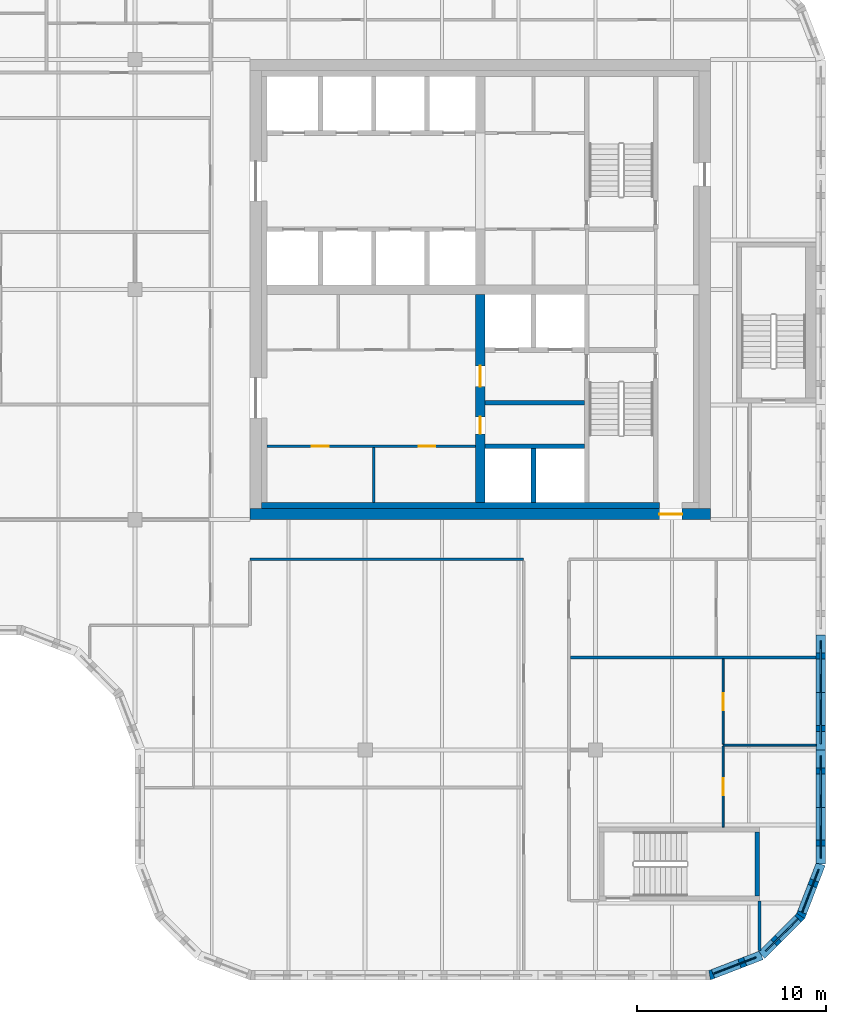
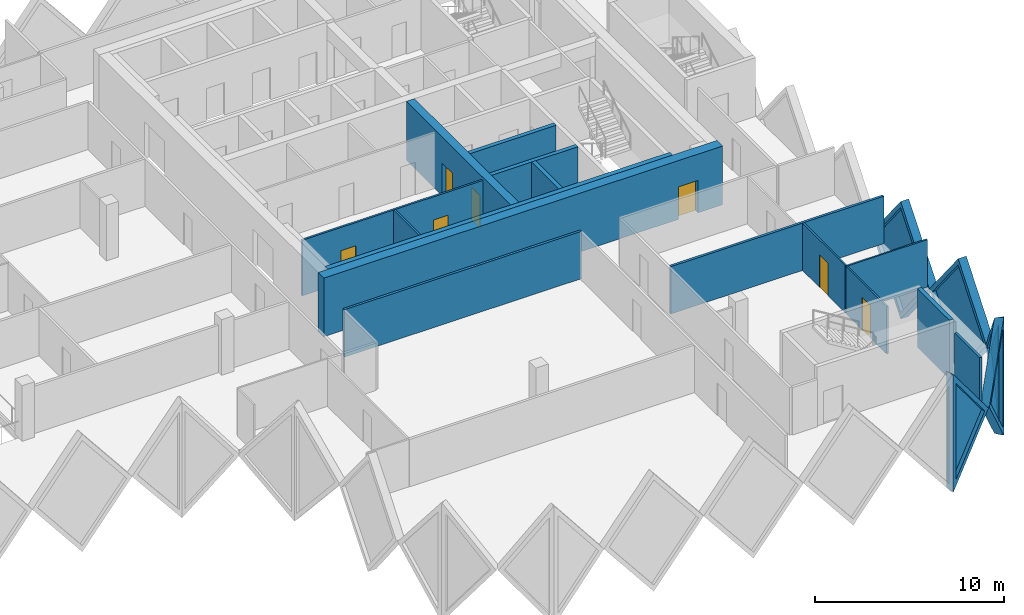
# One storey, part 5 of 11: 20 walls, 7 doors, 5 plates, 12 openings.
"""IFC4 building model written with IfcOpenShell, lengths in metres."""

from ifc_helpers import new_model, si_unit, direction, frame, frame_2d, origin, place, context, subcontext, project, spatial, polyline, rectangle, outline, extrude, faceted_brep, source, transform, mapped, material, layer, layer_set, type_object, element, fill, save


model = new_model("IFC4")

# Units and contexts
model_context = context("Model", 3, precision=1e-05, world=origin(), true_north=direction((0.0, 1.0)))
body_context = subcontext(model_context, "Body", "Model", "MODEL_VIEW")
ifc_project = project(units=[si_unit("LENGTHUNIT", "METRE"), si_unit("AREAUNIT", "SQUARE_METRE"), si_unit("VOLUMEUNIT", "CUBIC_METRE"), si_unit("PLANEANGLEUNIT", "RADIAN"), si_unit("MASSUNIT", "GRAM", prefix="KILO")], contexts=[model_context])

# Site, building, storey
site_placement = place(None, origin())
site = spatial("IfcSite", under=ifc_project, at=site_placement, CompositionType="ELEMENT")
building_placement = place(site_placement, origin())
building = spatial("IfcBuilding", under=site, at=building_placement, Name="Tessera Gate Towers", CompositionType="ELEMENT")
storey_placement = place(building_placement, frame((0.0, 0.0, 170.60009765625)))
storey = spatial("IfcBuildingStorey", under=building, at=storey_placement, Name="L42", CompositionType="ELEMENT", Elevation=170.60009765625)

# Walls
ifc_material_1 = material(Name="Concrete C40/50", Category="concrete")
ifc_layer_1 = layer(ifc_material_1, 0.25)
ifc_layer_set_1 = layer_set([ifc_layer_1], Name="CORE ENCLOSURE WALL 250")
wall_type_1 = type_object("IfcWallType", Name="CORE ENCLOSURE WALL 250", PredefinedType="SOLIDWALL", material=ifc_layer_set_1)
for number, where, z_axis, x_axis, name in (
    (1, (42.949951171875, 28.300048828125, 0.0), (0.0, 0.0, 1.0), (1.0, 0.0, 0.0), "L42 shaft and stair enclosure wall"),
    (2, (42.949951171875, 30.60009765625, 0.0), (0.0, 0.0, 1.0), (1.0, 0.0, 0.0), "L42 shaft and stair enclosure wall"),
):
    element("IfcWall", number, at=place(storey_placement, frame(where, z_axis=z_axis, x_axis=x_axis)), inside=storey, type_object=wall_type_1, Name=name, PredefinedType="SOLIDWALL", context=body_context, shape_type="SweptSolid", body=[
        extrude(rectangle(XDim=5.275146484375, YDim=0.25, at=frame_2d((2.6376953125, 0.0))), origin(), (0.0, 0.0, 1.0), 3.7998046875),
    ])
wall_1_placement = place(storey_placement, frame((45.52490234375, 25.300048828125, 0.0), z_axis=(0.0, 0.0, 1.0), x_axis=(0.0, 1.0, 0.0)))
element("IfcWall", 3, at=wall_1_placement, inside=storey, type_object=wall_type_1, Name="L42 shaft and stair enclosure wall", PredefinedType="SOLIDWALL", context=body_context, shape_type="SweptSolid", body=[
    extrude(rectangle(XDim=2.875, YDim=0.25, at=frame_2d((1.4375, 0.0))), origin(), (0.0, 0.0, 1.0), 3.7998046875),
])
wall_2_placement = place(storey_placement, frame((57.375, 7.85009765625, 0.0), z_axis=(0.0, 0.0, 1.0), x_axis=(0.0, -1.0, 0.0)))
element("IfcWall", 4, at=wall_2_placement, inside=storey, type_object=wall_type_1, Name="L42 ST4 enclosure wall", PredefinedType="SOLIDWALL", context=body_context, shape_type="SweptSolid", body=[
    extrude(rectangle(XDim=3.400146484375, YDim=0.25, at=frame_2d((1.7001953125, 0.0))), origin(), (0.0, 0.0, 1.0), 3.7998046875),
])

# Wall, openings, doors
ifc_material_2 = material(Name="Gypsum board on steel studs", Category="steel")
ifc_layer_2 = layer(ifc_material_2, 0.1201171875)
ifc_layer_set_2 = layer_set([ifc_layer_2], Name="CORE PARTITION 120")
wall_type_2 = type_object("IfcWallType", Name="CORE PARTITION 120", PredefinedType="PARTITIONING", material=ifc_layer_set_2)
wall_3_placement = place(storey_placement, frame((42.449951171875, 28.300048828125, 0.0), z_axis=(0.0, 0.0, 1.0), x_axis=(-1.0, 0.0, 0.0)))
wall_3 = element("IfcWall", 5, at=wall_3_placement, inside=storey, type_object=wall_type_2, Name="L42 core partition", PredefinedType="PARTITIONING", context=body_context, shape_type="SweptSolid", body=[
    extrude(rectangle(XDim=11.050048828125, YDim=0.1201171875, at=frame_2d((5.52490234375, 0.0))), origin(), (0.0, 0.0, 1.0), 3.599853515625),
])
shared_shape_1 = source(origin(), body_context, "Body", "SweptSolid", [
    extrude(rectangle(XDim=0.89990234375, YDim=2.10009765625, at=frame_2d((0.449951171875, 1.050048828125))), frame((0.0, 0.070068359375, 0.0), z_axis=(0.0, -1.0, 0.0), x_axis=(1.0, 0.0, 0.0)), (0.0, 0.0, 1.0), 0.14013671875),
])
opening_1_placement = place(wall_3_placement, frame((7.77490234375, 0.0, 0.0)))
opening_1 = element("IfcOpeningElement", 6, at=opening_1_placement, cuts=wall_3, Name="Opening RD-T1-27-07", PredefinedType="OPENING", context=body_context, shape_type="MappedRepresentation", body=[
    mapped(shared_shape_1, transform((0.0, 0.0, 0.0), scale=1.0)),
])
opening_2_placement = place(wall_3_placement, frame((2.125, 0.0, 0.0)))
opening_2 = element("IfcOpeningElement", 7, at=opening_2_placement, cuts=wall_3, Name="Opening RD-T1-27-08", PredefinedType="OPENING", context=body_context, shape_type="MappedRepresentation", body=[
    mapped(shared_shape_1, transform((0.0, 0.0, 0.0), scale=1.0)),
])
ifc_material_3 = material(Name="Hollow steel fire door", Category="steel")
door_type_1 = type_object("IfcDoorType", Name="CORE DOOR RD 900x2100", OperationType="NOTDEFINED", PredefinedType="DOOR", material=ifc_material_3)
shared_shape_2 = source(origin(), body_context, "Body", "SweptSolid", [
    extrude(rectangle(XDim=0.89990234375, YDim=2.10009765625, at=frame_2d((0.449951171875, 1.050048828125))), frame((0.0, 0.02490234375, 0.0), z_axis=(0.0, -1.0, 0.0), x_axis=(1.0, 0.0, 0.0)), (0.0, 0.0, 1.0), 0.050048828125),
])
door_1_placement = place(opening_1_placement, origin())
door_1 = element("IfcDoor", 8, at=door_1_placement, inside=storey, type_object=door_type_1, Name="Core room door", OperationType="SINGLE_SWING_RIGHT", OverallHeight=2.10009765625, OverallWidth=0.89990234375, PredefinedType="DOOR", context=body_context, shape_type="MappedRepresentation", body=[
    mapped(shared_shape_2, transform((0.0, 0.0, 0.0), scale=1.0)),
])
fill(opening_1, door_1)
door_2_placement = place(opening_2_placement, origin())
door_2 = element("IfcDoor", 9, at=door_2_placement, inside=storey, type_object=door_type_1, Name="Core room door", OperationType="SINGLE_SWING_LEFT", OverallHeight=2.10009765625, OverallWidth=0.89990234375, PredefinedType="DOOR", context=body_context, shape_type="MappedRepresentation", body=[
    mapped(shared_shape_2, transform((0.0, 0.0, 0.0), scale=1.0)),
])
fill(opening_2, door_2)

# Wall
wall_4_placement = place(storey_placement, frame((37.050048828125, 25.300048828125, 0.0), z_axis=(0.0, 0.0, 1.0), x_axis=(0.0, 1.0, 0.0)))
element("IfcWall", 10, at=wall_4_placement, inside=storey, type_object=wall_type_2, Name="L42 core partition", PredefinedType="PARTITIONING", context=body_context, shape_type="SweptSolid", body=[
    extrude(rectangle(XDim=2.93994140625, YDim=0.1201171875, at=frame_2d((1.469970703125, 0.0))), origin(), (0.0, 0.0, 1.0), 3.599853515625),
])

# Wall, opening, door
ifc_material_4 = material(Name="Concrete C50/60", Category="concrete")
ifc_layer_3 = layer(ifc_material_4, 0.60009765625)
ifc_layer_set_3 = layer_set([ifc_layer_3], Name="CORE SHEAR WALL 600 C50/60")
wall_type_3 = type_object("IfcWallType", Name="CORE SHEAR WALL 600 C50/60", PredefinedType="SHEAR", material=ifc_layer_set_3)
wall_5_placement = place(storey_placement, frame((54.89990234375, 24.699951171875, 0.0), z_axis=(0.0, 0.0, 1.0), x_axis=(-1.0, 0.0, 0.0)))
wall_5 = element("IfcWall", 11, at=wall_5_placement, inside=storey, type_object=wall_type_3, Name="Core wall S L42", PredefinedType="SHEAR", context=body_context, shape_type="SweptSolid", body=[
    extrude(rectangle(XDim=24.39990234375, YDim=0.60009765625, at=frame_2d((12.199951171875, 0.0))), origin(), (0.0, 0.0, 1.0), 3.7998046875),
])
shared_shape_3 = source(origin(), body_context, "Body", "SweptSolid", [
    extrude(rectangle(XDim=1.199951171875, YDim=2.10009765625, at=frame_2d((0.60009765625, 1.050048828125))), frame((0.0, 0.31005859375, 0.0), z_axis=(0.0, -1.0, 0.0), x_axis=(1.0, 0.0, 0.0)), (0.0, 0.0, 1.0), 0.6201171875),
])
opening_3_placement = place(wall_5_placement, frame((1.5, 0.0, 0.0)))
opening_3 = element("IfcOpeningElement", 12, at=opening_3_placement, cuts=wall_5, Name="Opening ED-T1-27-01", PredefinedType="OPENING", context=body_context, shape_type="MappedRepresentation", body=[
    mapped(shared_shape_3, transform((0.0, 0.0, 0.0), scale=1.0)),
])
ifc_material_5 = material(Name="Hollow steel fire door", Category="steel")
door_type_2 = type_object("IfcDoorType", Name="CORE DOOR ED 1200x2100", OperationType="NOTDEFINED", PredefinedType="DOOR", material=ifc_material_5)
shared_shape_4 = source(origin(), body_context, "Body", "SweptSolid", [
    extrude(rectangle(XDim=1.199951171875, YDim=2.10009765625, at=frame_2d((0.60009765625, 1.050048828125))), frame((0.0, 0.02490234375, 0.0), z_axis=(0.0, -1.0, 0.0), x_axis=(1.0, 0.0, 0.0)), (0.0, 0.0, 1.0), 0.050048828125),
])
door_3_placement = place(opening_3_placement, origin())
door_3 = element("IfcDoor", 13, at=door_3_placement, inside=storey, type_object=door_type_2, Name="Core exit door", OperationType="SINGLE_SWING_LEFT", OverallHeight=2.10009765625, OverallWidth=1.199951171875, PredefinedType="DOOR", context=body_context, shape_type="MappedRepresentation", body=[
    mapped(shared_shape_4, transform((0.0, 0.0, 0.0), scale=1.0)),
])
fill(opening_3, door_3)

# Wall, openings, doors
ifc_material_6 = material(Name="Concrete C50/60", Category="concrete")
ifc_layer_4 = layer(ifc_material_6, 0.5)
ifc_layer_set_4 = layer_set([ifc_layer_4], Name="CORE SPINE WALL 500 C50/60")
wall_type_4 = type_object("IfcWallType", Name="CORE SPINE WALL 500 C50/60", PredefinedType="SHEAR", material=ifc_layer_set_4)
wall_6_placement = place(storey_placement, frame((42.699951171875, 36.35009765625, 0.0), z_axis=(0.0, 0.0, 1.0), x_axis=(0.0, -1.0, 0.0)))
wall_6 = element("IfcWall", 14, at=wall_6_placement, inside=storey, type_object=wall_type_4, Name="Core wall spine L42", PredefinedType="SHEAR", context=body_context, shape_type="SweptSolid", body=[
    extrude(rectangle(XDim=11.050048828125, YDim=0.5, at=frame_2d((5.52490234375, 0.0))), origin(), (0.0, 0.0, 1.0), 3.7998046875),
])
shared_shape_5 = source(origin(), body_context, "Body", "SweptSolid", [
    extrude(rectangle(XDim=0.89990234375, YDim=2.10009765625, at=frame_2d((0.449951171875, 1.050048828125))), frame((0.0, 0.260009765625, 0.0), z_axis=(0.0, -1.0, 0.0), x_axis=(1.0, 0.0, 0.0)), (0.0, 0.0, 1.0), 0.52001953125),
])
opening_4_placement = place(wall_6_placement, frame((6.5, 0.0, 0.0)))
opening_4 = element("IfcOpeningElement", 15, at=opening_4_placement, cuts=wall_6, Name="Opening RD-T1-27-05", PredefinedType="OPENING", context=body_context, shape_type="MappedRepresentation", body=[
    mapped(shared_shape_5, transform((0.0, 0.0, 0.0), scale=1.0)),
])
shared_shape_6 = source(origin(), body_context, "Body", "SweptSolid", [
    extrude(rectangle(XDim=1.10009765625, YDim=2.10009765625, at=frame_2d((0.550048828125, 1.050048828125))), frame((0.0, 0.260009765625, 0.0), z_axis=(0.0, -1.0, 0.0), x_axis=(1.0, 0.0, 0.0)), (0.0, 0.0, 1.0), 0.52001953125),
])
opening_5_placement = place(wall_6_placement, frame((3.800048828125, 0.0, 0.0)))
opening_5 = element("IfcOpeningElement", 16, at=opening_5_placement, cuts=wall_6, Name="Opening FD-T1-27-06", PredefinedType="OPENING", context=body_context, shape_type="MappedRepresentation", body=[
    mapped(shared_shape_6, transform((0.0, 0.0, 0.0), scale=1.0)),
])
door_4_placement = place(opening_4_placement, origin())
door_4 = element("IfcDoor", 17, at=door_4_placement, inside=storey, type_object=door_type_1, Name="Core room door", OperationType="SINGLE_SWING_RIGHT", OverallHeight=2.10009765625, OverallWidth=0.89990234375, PredefinedType="DOOR", context=body_context, shape_type="MappedRepresentation", body=[
    mapped(shared_shape_2, transform((0.0, 0.0, 0.0), scale=1.0)),
])
fill(opening_4, door_4)
ifc_material_7 = material(Name="Hollow steel fire door", Category="steel")
door_type_3 = type_object("IfcDoorType", Name="CORE DOOR FD 1100x2100", OperationType="NOTDEFINED", PredefinedType="DOOR", material=ifc_material_7)
shared_shape_7 = source(origin(), body_context, "Body", "SweptSolid", [
    extrude(rectangle(XDim=1.10009765625, YDim=2.10009765625, at=frame_2d((0.550048828125, 1.050048828125))), frame((0.0, 0.02490234375, 0.0), z_axis=(0.0, -1.0, 0.0), x_axis=(1.0, 0.0, 0.0)), (0.0, 0.0, 1.0), 0.050048828125),
])
door_5_placement = place(opening_5_placement, origin())
door_5 = element("IfcDoor", 18, at=door_5_placement, inside=storey, type_object=door_type_3, Name="Fire-fighting lobby door", OperationType="SINGLE_SWING_LEFT", OverallHeight=2.10009765625, OverallWidth=1.10009765625, PredefinedType="DOOR", context=body_context, shape_type="MappedRepresentation", body=[
    mapped(shared_shape_7, transform((0.0, 0.0, 0.0), scale=1.0)),
])
fill(opening_5, door_5)

# Walls
ifc_material_8 = material(Name="Concrete C50/60", Category="concrete")
ifc_layer_5 = layer(ifc_material_8, 0.300048828125)
ifc_layer_set_5 = layer_set([ifc_layer_5], Name="CORE WALL THICKENING 300")
wall_type_5 = type_object("IfcWallType", Name="CORE WALL THICKENING 300", PredefinedType="SOLIDWALL", material=ifc_layer_set_5)
wall_7_placement = place(storey_placement, frame((31.10009765625, 25.14990234375, 0.0), z_axis=(0.0, 0.0, 1.0), x_axis=(1.0, 0.0, 0.0)))
element("IfcWall", 19, at=wall_7_placement, inside=storey, type_object=wall_type_5, Name="Core wall thickening S L42", PredefinedType="SOLIDWALL", context=body_context, shape_type="SweptSolid", body=[
    extrude(rectangle(XDim=21.099853515625, YDim=0.300048828125, at=frame_2d((10.5498046875, 0.0))), origin(), (0.0, 0.0, 1.0), 3.7998046875),
])
ifc_material_9 = material(Name="Gypsum board on steel studs, mineral wool", Category="steel")
ifc_layer_6 = layer(ifc_material_9, 0.14990234375)
ifc_layer_set_6 = layer_set([ifc_layer_6], Name="CORRIDOR WALL 150")
wall_type_6 = type_object("IfcWallType", Name="CORRIDOR WALL 150", PredefinedType="PARTITIONING", material=ifc_layer_set_6)
wall_8_placement = place(storey_placement, frame((57.5, 1.55908203125, 0.0), z_axis=(0.0, 0.0, 1.0), x_axis=(0.0, 1.0, 0.0)))
element("IfcWall", 20, at=wall_8_placement, inside=storey, type_object=wall_type_6, Name="T1-L42-PW-002", PredefinedType="PARTITIONING", context=body_context, shape_type="SweptSolid", body=[
    extrude(rectangle(XDim=2.640869140625, YDim=0.14990234375, at=frame_2d((1.3203125, 0.0))), origin(), (0.0, 0.0, 1.0), 3.06689453125),
])
wall_9_placement = place(storey_placement, frame((30.5, 22.300048828125, 0.0), z_axis=(0.0, 0.0, 1.0), x_axis=(1.0, 0.0, 0.0)))
element("IfcWall", 21, at=wall_9_placement, inside=storey, type_object=wall_type_6, Name="T1-L42-PW-021", PredefinedType="PARTITIONING", context=body_context, shape_type="SweptSolid", body=[
    extrude(rectangle(XDim=14.5, YDim=0.14990234375, at=frame_2d((7.25, 0.0))), origin(), (0.0, 0.0, 1.0), 3.06689453125),
])

# Wall, opening, door
ifc_material_10 = material(Name="Gypsum board on steel studs", Category="steel")
ifc_layer_7 = layer(ifc_material_10, 0.10009765625)
ifc_layer_set_7 = layer_set([ifc_layer_7], Name="PARTITION 100")
wall_type_7 = type_object("IfcWallType", Name="PARTITION 100", PredefinedType="PARTITIONING", material=ifc_layer_set_7)
wall_10_placement = place(storey_placement, frame((55.574951171875, 12.396728515625, 0.0), z_axis=(0.0, 0.0, 1.0), x_axis=(0.0, -1.0, 0.0)))
wall_10 = element("IfcWall", 22, at=wall_10_placement, inside=storey, type_object=wall_type_7, Name="T1-L42-PW-005", PredefinedType="PARTITIONING", context=body_context, shape_type="SweptSolid", body=[
    extrude(rectangle(XDim=4.296630859375, YDim=0.10009765625, at=frame_2d((2.1484375, 0.0))), origin(), (0.0, 0.0, 1.0), 3.06689453125),
])
shared_shape_8 = source(origin(), body_context, "Body", "SweptSolid", [
    extrude(rectangle(XDim=0.89990234375, YDim=2.10009765625, at=frame_2d((0.449951171875, 1.050048828125))), frame((0.0, 0.06005859375, 0.0), z_axis=(0.0, -1.0, 0.0), x_axis=(1.0, 0.0, 0.0)), (0.0, 0.0, 1.0), 0.1201171875),
])
opening_6_placement = place(wall_10_placement, frame((1.69677734375, 0.0, 0.0)))
opening_6 = element("IfcOpeningElement", 23, at=opening_6_placement, cuts=wall_10, Name="Opening D190-A15-03", PredefinedType="OPENING", context=body_context, shape_type="MappedRepresentation", body=[
    mapped(shared_shape_8, transform((0.0, 0.0, 0.0), scale=1.0)),
])
ifc_material_11 = material(Name="Timber door leaf in steel frame", Category="steel")
door_type_4 = type_object("IfcDoorType", Name="INTERNAL DOOR 900 NOT RATED", OperationType="NOTDEFINED", PredefinedType="DOOR", material=ifc_material_11)
door_6_placement = place(opening_6_placement, origin())
door_6 = element("IfcDoor", 24, at=door_6_placement, inside=storey, type_object=door_type_4, Name="T1-L42-PD-004", OperationType="SINGLE_SWING_RIGHT", OverallHeight=2.10009765625, OverallWidth=0.89990234375, PredefinedType="DOOR", context=body_context, shape_type="MappedRepresentation", body=[
    mapped(shared_shape_2, transform((0.0, 0.0, 0.0), scale=1.0)),
])
fill(opening_6, door_6)

# Wall
wall_11_placement = place(storey_placement, frame((55.574951171875, 12.447998046875, 0.0), z_axis=(0.0, 0.0, 1.0), x_axis=(1.0, 0.0, 0.0)))
element("IfcWall", 25, at=wall_11_placement, inside=storey, type_object=wall_type_7, Name="T1-L42-PW-010", PredefinedType="PARTITIONING", context=body_context, shape_type="SweptSolid", body=[
    extrude(rectangle(XDim=4.925048828125, YDim=0.10009765625, at=frame_2d((2.46240234375, 0.0))), origin(), (0.0, 0.0, 1.0), 3.06689453125),
])

# Wall, opening, door
wall_12_placement = place(storey_placement, frame((55.574951171875, 17.02392578125, 0.0), z_axis=(0.0, 0.0, 1.0), x_axis=(0.0, -1.0, 0.0)))
wall_12 = element("IfcWall", 26, at=wall_12_placement, inside=storey, type_object=wall_type_7, Name="T1-L42-PW-011", PredefinedType="PARTITIONING", context=body_context, shape_type="SweptSolid", body=[
    extrude(rectangle(XDim=4.525146484375, YDim=0.10009765625, at=frame_2d((2.2626953125, 0.0))), origin(), (0.0, 0.0, 1.0), 3.06689453125),
])
opening_7_placement = place(wall_12_placement, frame((1.8251953125, 0.0, 0.0)))
opening_7 = element("IfcOpeningElement", 27, at=opening_7_placement, cuts=wall_12, Name="Opening D190-A15-05", PredefinedType="OPENING", context=body_context, shape_type="MappedRepresentation", body=[
    mapped(shared_shape_8, transform((0.0, 0.0, 0.0), scale=1.0)),
])
door_7_placement = place(opening_7_placement, origin())
door_7 = element("IfcDoor", 28, at=door_7_placement, inside=storey, type_object=door_type_4, Name="T1-L42-PD-006", OperationType="SINGLE_SWING_RIGHT", OverallHeight=2.10009765625, OverallWidth=0.89990234375, PredefinedType="DOOR", context=body_context, shape_type="MappedRepresentation", body=[
    mapped(shared_shape_2, transform((0.0, 0.0, 0.0), scale=1.0)),
])
fill(opening_7, door_7)

# Wall
ifc_material_12 = material(Name="Gypsum board on steel studs, mineral wool", Category="steel")
ifc_layer_8 = layer(ifc_material_12, 0.14990234375)
ifc_layer_set_8 = layer_set([ifc_layer_8], Name="TENANCY WALL 150")
wall_type_8 = type_object("IfcWallType", Name="TENANCY WALL 150", PredefinedType="PARTITIONING", material=ifc_layer_set_8)
wall_13_placement = place(storey_placement, frame((47.47607421875, 17.10009765625, 0.0), z_axis=(0.0, 0.0, 1.0), x_axis=(1.0, 0.0, 0.0)))
element("IfcWall", 29, at=wall_13_placement, inside=storey, type_object=wall_type_8, Name="T1-L42-PW-013", PredefinedType="PARTITIONING", context=body_context, shape_type="SweptSolid", body=[
    extrude(rectangle(XDim=13.02392578125, YDim=0.14990234375, at=frame_2d((6.511962890625, 0.0))), origin(), (0.0, 0.0, 1.0), 3.06689453125),
])

# Wall, opening, plate
ifc_material_13 = material(Name="Precast concrete C60/75 white", Category="concrete")
ifc_layer_9 = layer(ifc_material_13, 0.5)
ifc_layer_set_9 = layer_set([ifc_layer_9], Name="TS1 tessera")
wall_type_9 = type_object("IfcWallType", Name="TS1 tessera", PredefinedType="SOLIDWALL", material=ifc_layer_set_9)
shared_shape_9 = source(origin(), body_context, "Body", "Brep", [
    faceted_brep([(3.00341796875, -0.25, 0.0), (6.053466796875, -0.25, 3.800048828125), (3.00341796875, -0.25, 7.599853515625), (0.0, -0.25, 3.800048828125), (0.046630859375, 0.25, 3.85888671875), (3.00341796875, 0.25, 7.599853515625), (6.053466796875, 0.25, 3.800048828125), (3.00341796875, 0.25, 0.0), (0.046630859375, 0.25, 3.7412109375), (0.0, 0.0, 3.800048828125)], [[[0, 1, 2, 3]], [[4, 5, 6, 7, 8]], [[7, 6, 1, 0]], [[6, 5, 2, 1]], [[5, 4, 9, 3, 2]], [[8, 7, 0, 3, 9]], [[8, 9, 4]]]),
])
wall_14_placement = place(storey_placement, frame((60.75, 6.146484375, -3.800048828125), z_axis=(0.0, 0.0, 1.0), x_axis=(0.0, 1.0, 0.0)))
wall_14 = element("IfcWall", 30, at=wall_14_placement, inside=storey, type_object=wall_type_9, Name="Precast tessera T1 TS1-0716", PredefinedType="SOLIDWALL", context=body_context, shape_type="MappedRepresentation", body=[
    mapped(shared_shape_9, transform((0.0, 0.0, 0.0), scale=1.0)),
])
shared_shape_10 = source(origin(), body_context, "Body", "SweptSolid", [
    extrude(outline(polyline([(3.0048828125, 0.401123046875), (5.73291015625, 3.800048828125), (3.0048828125, 7.19873046875), (0.318603515625, 3.800048828125), (3.0048828125, 0.401123046875)])), frame((0.0, 0.260009765625, 0.0), z_axis=(0.0, -1.0, 0.0), x_axis=(1.0, 0.0, 0.0)), (0.0, 0.0, 1.0), 0.52001953125),
])
opening_8_placement = place(wall_14_placement, origin())
opening_8 = element("IfcOpeningElement", 31, at=opening_8_placement, cuts=wall_14, Name="Opening T1-PL2-1466", PredefinedType="OPENING", context=body_context, shape_type="MappedRepresentation", body=[
    mapped(shared_shape_10, transform((0.0, 0.0, 0.0), scale=1.0)),
])
ifc_material_14 = material(Name="Low-e laminated glass", Category="glass")
ifc_layer_10 = layer(ifc_material_14, 0.06005859375)
ifc_layer_set_10 = layer_set([ifc_layer_10], Name="PL2 rhombic pane")
plate_type = type_object("IfcPlateType", Name="PL2 rhombic pane", PredefinedType="SHEET", material=ifc_layer_set_10)
shared_shape_11 = source(origin(), body_context, "Body", "SweptSolid", [
    extrude(outline(polyline([(3.0048828125, 0.401123046875), (5.73291015625, 3.800048828125), (3.0048828125, 7.19873046875), (0.318603515625, 3.800048828125), (3.0048828125, 0.401123046875)])), frame((0.0, 0.030029296875, 0.0), z_axis=(0.0, -1.0, 0.0), x_axis=(1.0, 0.0, 0.0)), (0.0, 0.0, 1.0), 0.06005859375),
])
plate_1_placement = place(opening_8_placement, origin())
plate_1 = element("IfcPlate", 32, at=plate_1_placement, inside=storey, type_object=plate_type, Name="Glass pane T1 PL2-1466", PredefinedType="SHEET", context=body_context, shape_type="MappedRepresentation", body=[
    mapped(shared_shape_11, transform((0.0, 0.0, 0.0), scale=1.0)),
])
fill(opening_8, plate_1)

shared_shape_12 = source(origin(), body_context, "Body", "SweptSolid", [
    extrude(outline(polyline([(3.050048828125, 0.0), (6.10009765625, 3.800048828125), (3.050048828125, 7.599853515625), (0.0, 3.800048828125), (3.050048828125, 0.0)])), frame((0.0, 0.25, 0.0), z_axis=(0.0, -1.0, 0.0), x_axis=(1.0, 0.0, 0.0)), (0.0, 0.0, 1.0), 0.5),
])
wall_15_placement = place(storey_placement, frame((60.75, 12.199951171875, -3.800048828125), z_axis=(0.0, 0.0, 1.0), x_axis=(0.0, 1.0, 0.0)))
wall_15 = element("IfcWall", 33, at=wall_15_placement, inside=storey, type_object=wall_type_9, Name="Precast tessera T1 TS1-0717", PredefinedType="SOLIDWALL", context=body_context, shape_type="MappedRepresentation", body=[
    mapped(shared_shape_12, transform((0.0, 0.0, 0.0), scale=1.0)),
])
shared_shape_13 = source(origin(), body_context, "Body", "SweptSolid", [
    extrude(outline(polyline([(3.050048828125, 0.3994140625), (5.779541015625, 3.800048828125), (3.050048828125, 7.200439453125), (0.320556640625, 3.800048828125), (3.050048828125, 0.3994140625)])), frame((0.0, 0.260009765625, 0.0), z_axis=(0.0, -1.0, 0.0), x_axis=(1.0, 0.0, 0.0)), (0.0, 0.0, 1.0), 0.52001953125),
])
opening_9_placement = place(wall_15_placement, origin())
opening_9 = element("IfcOpeningElement", 34, at=opening_9_placement, cuts=wall_15, Name="Opening T1-PL2-1467", PredefinedType="OPENING", context=body_context, shape_type="MappedRepresentation", body=[
    mapped(shared_shape_13, transform((0.0, 0.0, 0.0), scale=1.0)),
])
shared_shape_14 = source(origin(), body_context, "Body", "SweptSolid", [
    extrude(outline(polyline([(3.050048828125, 0.3994140625), (5.779541015625, 3.800048828125), (3.050048828125, 7.200439453125), (0.320556640625, 3.800048828125), (3.050048828125, 0.3994140625)])), frame((0.0, 0.030029296875, 0.0), z_axis=(0.0, -1.0, 0.0), x_axis=(1.0, 0.0, 0.0)), (0.0, 0.0, 1.0), 0.06005859375),
])
plate_2_placement = place(opening_9_placement, origin())
plate_2 = element("IfcPlate", 35, at=plate_2_placement, inside=storey, type_object=plate_type, Name="Glass pane T1 PL2-1467", PredefinedType="SHEET", context=body_context, shape_type="MappedRepresentation", body=[
    mapped(shared_shape_14, transform((0.0, 0.0, 0.0), scale=1.0)),
])
fill(opening_9, plate_2)

ifc_material_15 = material(Name="Precast concrete C60/75 white", Category="concrete")
ifc_layer_11 = layer(ifc_material_15, 0.5)
ifc_layer_set_11 = layer_set([ifc_layer_11], Name="TS3 corner tessera")
wall_type_10 = type_object("IfcWallType", Name="TS3 corner tessera", PredefinedType="SOLIDWALL", material=ifc_layer_set_11)
shared_shape_15 = source(origin(), body_context, "Body", "Brep", [
    faceted_brep([(0.046630859375, -0.25, 0.0), (2.9970703125, -0.25, 3.800048828125), (0.046630859375, -0.25, 7.599853515625), (0.0, -0.25, 7.541015625), (0.0, -0.25, 0.058837890625), (0.09326171875, 0.25, 7.539794921875), (2.9443359375, 0.25, 3.8681640625), (2.9443359375, 0.25, 3.73193359375), (0.09326171875, 0.25, 0.06005859375), (2.9970703125, 0.00048828125, 3.800048828125), (0.046630859375, 0.0, 0.0), (0.046630859375, 0.0, 7.599853515625)], [[[0, 1, 2, 3, 4]], [[5, 6, 7, 8]], [[8, 7, 9, 1, 0, 10]], [[6, 5, 11, 2, 1, 9]], [[3, 2, 11]], [[10, 0, 4]], [[8, 10, 4, 3, 11, 5]], [[7, 6, 9]]]),
])
wall_16_placement = place(storey_placement, frame((54.81005859375, 0.233154296875, -3.800048828125), z_axis=(0.0, 0.0, 1.0), x_axis=(0.932990326376, 0.359901446078, 0.0)))
wall_16 = element("IfcWall", 36, at=wall_16_placement, inside=storey, type_object=wall_type_10, Name="Precast corner tessera T1 TS3-0964", PredefinedType="SOLIDWALL", context=body_context, shape_type="MappedRepresentation", body=[
    mapped(shared_shape_15, transform((0.0, 0.0, 0.0), scale=1.0)),
])
shared_shape_16 = source(origin(), body_context, "Body", "SweptSolid", [
    extrude(outline(polyline([(0.24658203125, 0.665283203125), (2.6806640625, 3.800048828125), (0.24658203125, 6.934814453125), (0.24658203125, 0.665283203125)])), frame((0.0, 0.260009765625, 0.0), z_axis=(0.0, -1.0, 0.0), x_axis=(1.0, 0.0, 0.0)), (0.0, 0.0, 1.0), 0.52001953125),
])
opening_10_placement = place(wall_16_placement, origin())
opening_10 = element("IfcOpeningElement", 37, at=opening_10_placement, cuts=wall_16, Name="Opening T1-PL2-1463", PredefinedType="OPENING", context=body_context, shape_type="MappedRepresentation", body=[
    mapped(shared_shape_16, transform((0.0, 0.0, 0.0), scale=1.0)),
])
shared_shape_17 = source(origin(), body_context, "Body", "SweptSolid", [
    extrude(outline(polyline([(0.24658203125, 0.665283203125), (2.6806640625, 3.800048828125), (0.24658203125, 6.934814453125), (0.24658203125, 0.665283203125)])), frame((0.0, 0.030029296875, 0.0), z_axis=(0.0, -1.0, 0.0), x_axis=(1.0, 0.0, 0.0)), (0.0, 0.0, 1.0), 0.06005859375),
])
plate_3_placement = place(opening_10_placement, origin())
plate_3 = element("IfcPlate", 38, at=plate_3_placement, inside=storey, type_object=plate_type, Name="Glass pane T1 PL2-1463", PredefinedType="SHEET", context=body_context, shape_type="MappedRepresentation", body=[
    mapped(shared_shape_17, transform((0.0, 0.0, 0.0), scale=1.0)),
])
fill(opening_10, plate_3)

shared_shape_18 = source(origin(), body_context, "Body", "Brep", [
    faceted_brep([(2.944091796875, -0.25, 0.0), (2.9970703125, -0.25, 0.068115234375), (2.9970703125, -0.25, 7.53173828125), (2.944091796875, -0.25, 7.599853515625), (0.0, -0.25, 3.800048828125), (0.052978515625, 0.25, 3.868408203125), (2.89111328125, 0.25, 7.53173828125), (2.89111328125, 0.25, 0.068115234375), (0.052978515625, 0.25, 3.731689453125), (2.944091796875, 0.000244140625, 0.0), (2.944091796875, 0.000244140625, 7.599853515625), (0.0, 0.0, 3.800048828125)], [[[0, 1, 2, 3, 4]], [[5, 6, 7, 8]], [[1, 0, 9]], [[10, 3, 2]], [[6, 5, 11, 4, 3, 10]], [[8, 7, 9, 0, 4, 11]], [[8, 11, 5]], [[1, 9, 7, 6, 10, 2]]]),
])
wall_17_placement = place(storey_placement, frame((57.606201171875, 1.31201171875, -3.800048828125), z_axis=(0.0, 0.0, 1.0), x_axis=(0.707147509625, 0.707066050402, 0.0)))
wall_17 = element("IfcWall", 39, at=wall_17_placement, inside=storey, type_object=wall_type_10, Name="Precast corner tessera T1 TS3-0965", PredefinedType="SOLIDWALL", context=body_context, shape_type="MappedRepresentation", body=[
    mapped(shared_shape_18, transform((0.0, 0.0, 0.0), scale=1.0)),
])
shared_shape_19 = source(origin(), body_context, "Body", "SweptSolid", [
    extrude(outline(polyline([(2.744140625, 6.93359375), (0.316162109375, 3.800048828125), (2.744140625, 0.666259765625), (2.744140625, 6.93359375)])), frame((0.0, 0.260009765625, 0.0), z_axis=(0.0, -1.0, 0.0), x_axis=(1.0, 0.0, 0.0)), (0.0, 0.0, 1.0), 0.52001953125),
])
opening_11_placement = place(wall_17_placement, origin())
opening_11 = element("IfcOpeningElement", 40, at=opening_11_placement, cuts=wall_17, Name="Opening T1-PL2-1464", PredefinedType="OPENING", context=body_context, shape_type="MappedRepresentation", body=[
    mapped(shared_shape_19, transform((0.0, 0.0, 0.0), scale=1.0)),
])
shared_shape_20 = source(origin(), body_context, "Body", "SweptSolid", [
    extrude(outline(polyline([(2.744140625, 6.93359375), (0.316162109375, 3.800048828125), (2.744140625, 0.666259765625), (2.744140625, 6.93359375)])), frame((0.0, 0.030029296875, 0.0), z_axis=(0.0, -1.0, 0.0), x_axis=(1.0, 0.0, 0.0)), (0.0, 0.0, 1.0), 0.06005859375),
])
plate_4_placement = place(opening_11_placement, origin())
plate_4 = element("IfcPlate", 41, at=plate_4_placement, inside=storey, type_object=plate_type, Name="Glass pane T1 PL2-1464", PredefinedType="SHEET", context=body_context, shape_type="MappedRepresentation", body=[
    mapped(shared_shape_20, transform((0.0, 0.0, 0.0), scale=1.0)),
])
fill(opening_11, plate_4)

shared_shape_21 = source(origin(), body_context, "Body", "Brep", [
    faceted_brep([(0.052978515625, -0.25, 0.0), (3.00341796875, -0.25, 3.800048828125), (0.052978515625, -0.25, 7.599853515625), (0.0, -0.25, 7.531494140625), (0.0, -0.25, 0.068359375), (0.10595703125, 0.25, 7.53173828125), (2.95703125, 0.25, 3.85986328125), (2.95703125, 0.25, 3.740234375), (0.10595703125, 0.25, 0.068115234375), (3.00341796875, 0.00048828125, 3.800048828125), (0.052978515625, 0.0, 0.0), (0.052978515625, 0.0, 7.599853515625)], [[[0, 1, 2, 3, 4]], [[5, 6, 7, 8]], [[8, 7, 9, 1, 0, 10]], [[6, 5, 11, 2, 1, 9]], [[3, 2, 11]], [[10, 0, 4]], [[8, 10, 4, 3, 11, 5]], [[7, 6, 9]]]),
])
wall_18_placement = place(storey_placement, frame((59.6689453125, 3.34423828125, -3.800048828125), z_axis=(0.0, 0.0, 1.0), x_axis=(0.35992665181, 0.932980602862, 0.0)))
wall_18 = element("IfcWall", 42, at=wall_18_placement, inside=storey, type_object=wall_type_10, Name="Precast corner tessera T1 TS3-0966", PredefinedType="SOLIDWALL", context=body_context, shape_type="MappedRepresentation", body=[
    mapped(shared_shape_21, transform((0.0, 0.0, 0.0), scale=1.0)),
])
shared_shape_22 = source(origin(), body_context, "Body", "SweptSolid", [
    extrude(outline(polyline([(0.2529296875, 0.665283203125), (2.68701171875, 3.800048828125), (0.2529296875, 6.934814453125), (0.2529296875, 0.665283203125)])), frame((0.0, 0.260009765625, 0.0), z_axis=(0.0, -1.0, 0.0), x_axis=(1.0, 0.0, 0.0)), (0.0, 0.0, 1.0), 0.52001953125),
])
opening_12_placement = place(wall_18_placement, origin())
opening_12 = element("IfcOpeningElement", 43, at=opening_12_placement, cuts=wall_18, Name="Opening T1-PL2-1465", PredefinedType="OPENING", context=body_context, shape_type="MappedRepresentation", body=[
    mapped(shared_shape_22, transform((0.0, 0.0, 0.0), scale=1.0)),
])
shared_shape_23 = source(origin(), body_context, "Body", "SweptSolid", [
    extrude(outline(polyline([(0.2529296875, 0.665283203125), (2.68701171875, 3.800048828125), (0.2529296875, 6.934814453125), (0.2529296875, 0.665283203125)])), frame((0.0, 0.030029296875, 0.0), z_axis=(0.0, -1.0, 0.0), x_axis=(1.0, 0.0, 0.0)), (0.0, 0.0, 1.0), 0.06005859375),
])
plate_5_placement = place(opening_12_placement, origin())
plate_5 = element("IfcPlate", 44, at=plate_5_placement, inside=storey, type_object=plate_type, Name="Glass pane T1 PL2-1465", PredefinedType="SHEET", context=body_context, shape_type="MappedRepresentation", body=[
    mapped(shared_shape_23, transform((0.0, 0.0, 0.0), scale=1.0)),
])
fill(opening_12, plate_5)

save(model, "model.ifc")
